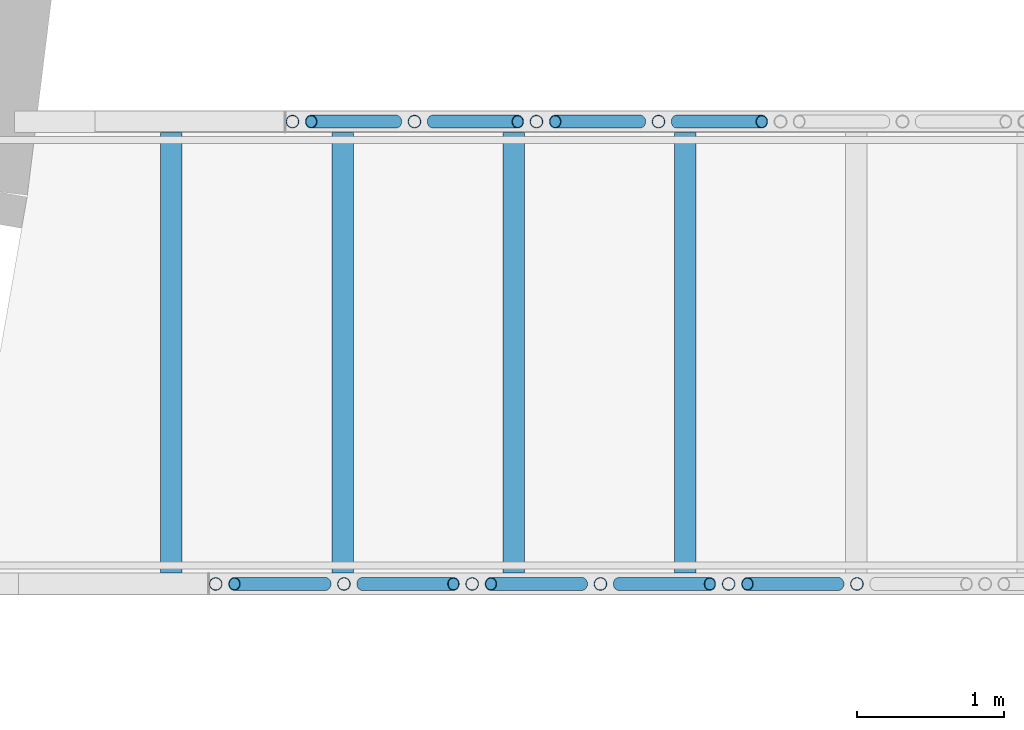
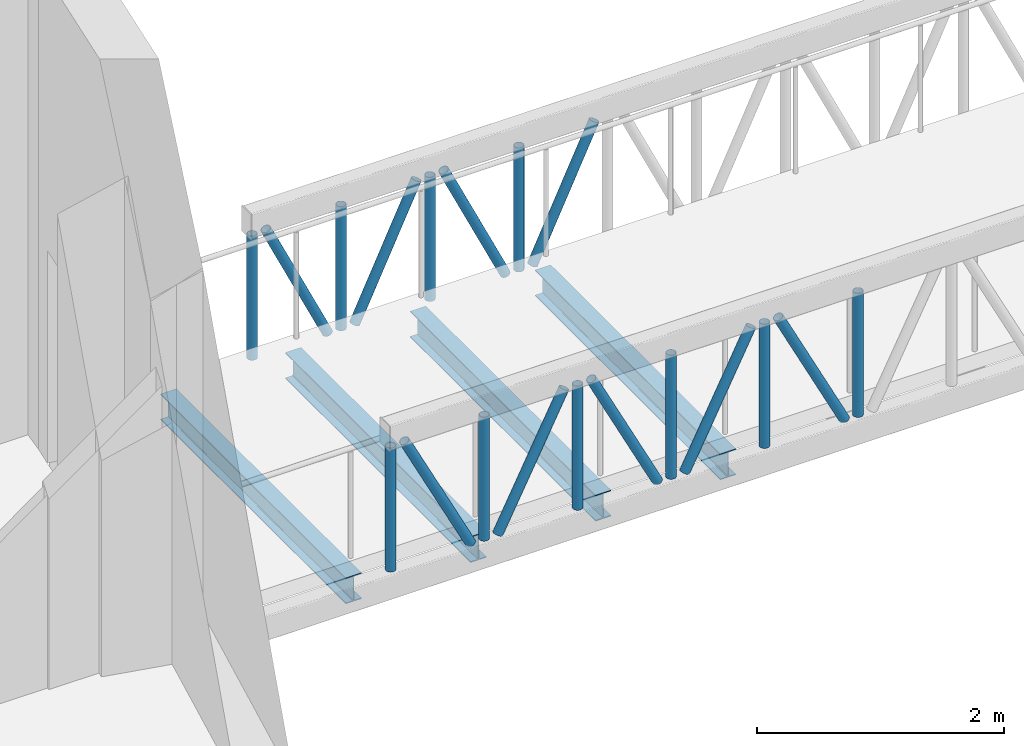
# One storey, part 26 of 93: 19 members, 4 beams.
"""IFC4 building model written with IfcOpenShell, lengths in metres."""

from ifc_helpers import new_model, si_unit, direction, frame, origin, origin_2d, place, context, subcontext, project, spatial, hollow_circle, i_section, extrude, material, material_profile, profile_set, type_object, element, save


model = new_model("IFC4")

# Units and contexts
model_context = context("Model", 3, precision=1e-05, world=origin(), true_north=direction((0.0, 1.0)))
body_context = subcontext(model_context, "Body", "Model", "MODEL_VIEW")
ifc_project = project(units=[si_unit("LENGTHUNIT", "METRE"), si_unit("AREAUNIT", "SQUARE_METRE"), si_unit("VOLUMEUNIT", "CUBIC_METRE"), si_unit("PLANEANGLEUNIT", "RADIAN"), si_unit("MASSUNIT", "GRAM", prefix="KILO")], contexts=[model_context])

# Site, building, storey
site_placement = place(None, origin())
site = spatial("IfcSite", under=ifc_project, at=site_placement, CompositionType="ELEMENT")
building_placement = place(site_placement, origin())
building = spatial("IfcBuilding", under=site, at=building_placement, Name="Tide Square Theatres", CompositionType="ELEMENT")
storey_placement = place(building_placement, frame((0.0, 0.0, 5.39990234375)))
storey = spatial("IfcBuildingStorey", under=building, at=storey_placement, Name="L01", CompositionType="ELEMENT", Elevation=5.39990234375)

# Beams
ifc_material_1 = material(Name="Steel ASTM A572 Grade 50", Category="steel")
ifc_material_profile_1 = material_profile(ifc_material_1, i_section(OverallWidth=0.14599609375, OverallDepth=0.258056640625, WebThickness=0.006103515625, FlangeThickness=0.009033203125, FilletRadius=0.010009765625, at=origin_2d()))
ifc_profile_set_1 = profile_set([ifc_material_profile_1], Name="Steel ASTM A572 Grade 50")
beam_type = type_object("IfcBeamType", Name="Steel beam W 250 x 32.7", PredefinedType="BEAM", material=ifc_profile_set_1)
for number, where, z_axis, x_axis, name in (
    (1, (109.231201171875, 47.5, -0.27978515625), (0.0, -1.0, 0.0), (1.0, 0.0, 0.0), "Bridge BR-E2 cross beam"),
    (2, (108.064208984375, 47.5, -0.27978515625), (0.0, -1.0, 0.0), (1.0, 0.0, 0.0), "Bridge BR-E2 cross beam"),
    (3, (106.8974609375, 47.5, -0.27978515625), (0.0, -1.0, 0.0), (1.0, 0.0, 0.0), "Bridge BR-E2 cross beam"),
    (4, (105.730712890625, 47.5, -0.27978515625), (0.0, -1.0, 0.0), (1.0, 0.0, 0.0), "Bridge BR-E2 cross beam"),
):
    element("IfcBeam", number, at=place(storey_placement, frame(where, z_axis=z_axis, x_axis=x_axis)), inside=storey, type_object=beam_type, Name=name, PredefinedType="BEAM", context=body_context, shape_type="SweptSolid", body=[
        extrude(i_section(OverallWidth=0.14599609375, OverallDepth=0.258056640625, WebThickness=0.006103515625, FlangeThickness=0.009033203125, FilletRadius=0.010009765625, at=origin_2d()), origin(), (0.0, 0.0, 1.0), 3.0),
    ])

# Members
ifc_material_2 = material(Name="Steel ASTM A500 Grade C", Category="steel")
ifc_material_profile_2 = material_profile(ifc_material_2, hollow_circle(Radius=0.04443359375, WallThickness=0.0048828125, at=origin_2d()))
ifc_profile_set_2 = profile_set([ifc_material_profile_2], Name="Steel ASTM A500 Grade C")
member_type_1 = type_object("IfcMemberType", Name="Steel brace CHS 88.9 x 5.0", PredefinedType="BRACE", material=ifc_profile_set_2)
for number, where, z_axis, x_axis, name in (
    (5, (109.753662109375, 47.574951171875, 1.0751953125), (-0.42588386751, 0.0, -0.90477783538), (0.0, -1.0, 0.0), "Bridge BR-E2 diagonal"),
    (6, (108.922607421875, 47.574951171875, -0.14990234375), (-0.42588386751, 0.0, 0.90477783538), (0.0, -1.0, 0.0), "Bridge BR-E2 diagonal"),
    (7, (108.09130859375, 47.574951171875, 1.0751953125), (-0.425736247503, 0.0, -0.904847306214), (0.0, -1.0, 0.0), "Bridge BR-E2 diagonal"),
    (8, (107.26025390625, 47.574951171875, -0.14990234375), (-0.42588386751, 0.0, 0.90477783538), (0.0, -1.0, 0.0), "Bridge BR-E2 diagonal"),
):
    element("IfcMember", number, at=place(storey_placement, frame(where, z_axis=z_axis, x_axis=x_axis)), inside=storey, type_object=member_type_1, Name=name, PredefinedType="BRACE", context=body_context, shape_type="SweptSolid", body=[
        extrude(hollow_circle(Radius=0.04443359375, WallThickness=0.0048828125, at=origin_2d()), origin(), (0.0, 0.0, 1.0), 1.35400390625),
    ])
for number, where, z_axis, x_axis, name in (
    (9, (110.274169921875, 44.425048828125, -0.14990234375), (-0.450909540072, 0.0, 0.892569653681), (0.0, -1.0, 0.0), "Bridge BR-E2 diagonal"),
    (10, (109.400390625, 44.425048828125, 1.0751953125), (-0.450909540072, 0.0, -0.892569653681), (0.0, -1.0, 0.0), "Bridge BR-E2 diagonal"),
    (11, (108.52685546875, 44.425048828125, -0.14990234375), (-0.451051231456, 0.0, 0.892498059719), (0.0, -1.0, 0.0), "Bridge BR-E2 diagonal"),
    (12, (107.6533203125, 44.425048828125, 1.0751953125), (-0.451051231456, 0.0, -0.892498059719), (0.0, -1.0, 0.0), "Bridge BR-E2 diagonal"),
    (13, (106.779541015625, 44.425048828125, -0.14990234375), (-0.451051231456, 0.0, 0.892498059719), (0.0, -1.0, 0.0), "Bridge BR-E2 diagonal"),
):
    element("IfcMember", number, at=place(storey_placement, frame(where, z_axis=z_axis, x_axis=x_axis)), inside=storey, type_object=member_type_1, Name=name, PredefinedType="BRACE", context=body_context, shape_type="SweptSolid", body=[
        extrude(hollow_circle(Radius=0.04443359375, WallThickness=0.0048828125, at=origin_2d()), origin(), (0.0, 0.0, 1.0), 1.37255859375),
    ])
ifc_material_3 = material(Name="Steel ASTM A500 Grade C", Category="steel")
ifc_material_profile_3 = material_profile(ifc_material_3, hollow_circle(Radius=0.04443359375, WallThickness=0.0048828125, at=origin_2d()))
ifc_profile_set_3 = profile_set([ifc_material_profile_3], Name="Steel ASTM A500 Grade C")
member_type_2 = type_object("IfcMemberType", Name="Steel strut CHS 88.9 x 5.0", PredefinedType="STRUT", material=ifc_profile_set_3)
for number, where, z_axis, x_axis, name in (
    (14, (109.0498046875, 47.574951171875, -0.14990234375), (0.0, 0.0, 1.0), (1.0, 0.0, 0.0), "Bridge BR-E2 post"),
    (15, (108.218505859375, 47.574951171875, -0.14990234375), (0.0, 0.0, 1.0), (1.0, 0.0, 0.0), "Bridge BR-E2 post"),
    (16, (107.387451171875, 47.574951171875, -0.14990234375), (0.0, 0.0, 1.0), (1.0, 0.0, 0.0), "Bridge BR-E2 post"),
    (17, (106.556396484375, 47.574951171875, -0.14990234375), (0.0, 0.0, 1.0), (1.0, 0.0, 0.0), "Bridge BR-E2 post"),
    (18, (110.401611328125, 44.425048828125, -0.14990234375), (0.0, 0.0, 1.0), (1.0, 0.0, 0.0), "Bridge BR-E2 post"),
    (19, (109.52783203125, 44.425048828125, -0.14990234375), (0.0, 0.0, 1.0), (1.0, 0.0, 0.0), "Bridge BR-E2 post"),
    (20, (108.654296875, 44.425048828125, -0.14990234375), (0.0, 0.0, 1.0), (1.0, 0.0, 0.0), "Bridge BR-E2 post"),
    (21, (107.780517578125, 44.425048828125, -0.14990234375), (0.0, 0.0, 1.0), (1.0, 0.0, 0.0), "Bridge BR-E2 post"),
    (22, (106.90673828125, 44.425048828125, -0.14990234375), (0.0, 0.0, 1.0), (1.0, 0.0, 0.0), "Bridge BR-E2 post"),
    (23, (106.033203125, 44.425048828125, -0.14990234375), (0.0, 0.0, 1.0), (1.0, 0.0, 0.0), "Bridge BR-E2 post"),
):
    element("IfcMember", number, at=place(storey_placement, frame(where, z_axis=z_axis, x_axis=x_axis)), inside=storey, type_object=member_type_2, Name=name, PredefinedType="STRUT", context=body_context, shape_type="SweptSolid", body=[
        extrude(hollow_circle(Radius=0.04443359375, WallThickness=0.0048828125, at=origin_2d()), origin(), (0.0, 0.0, 1.0), 1.22509765625),
    ])

save(model, "model.ifc")
